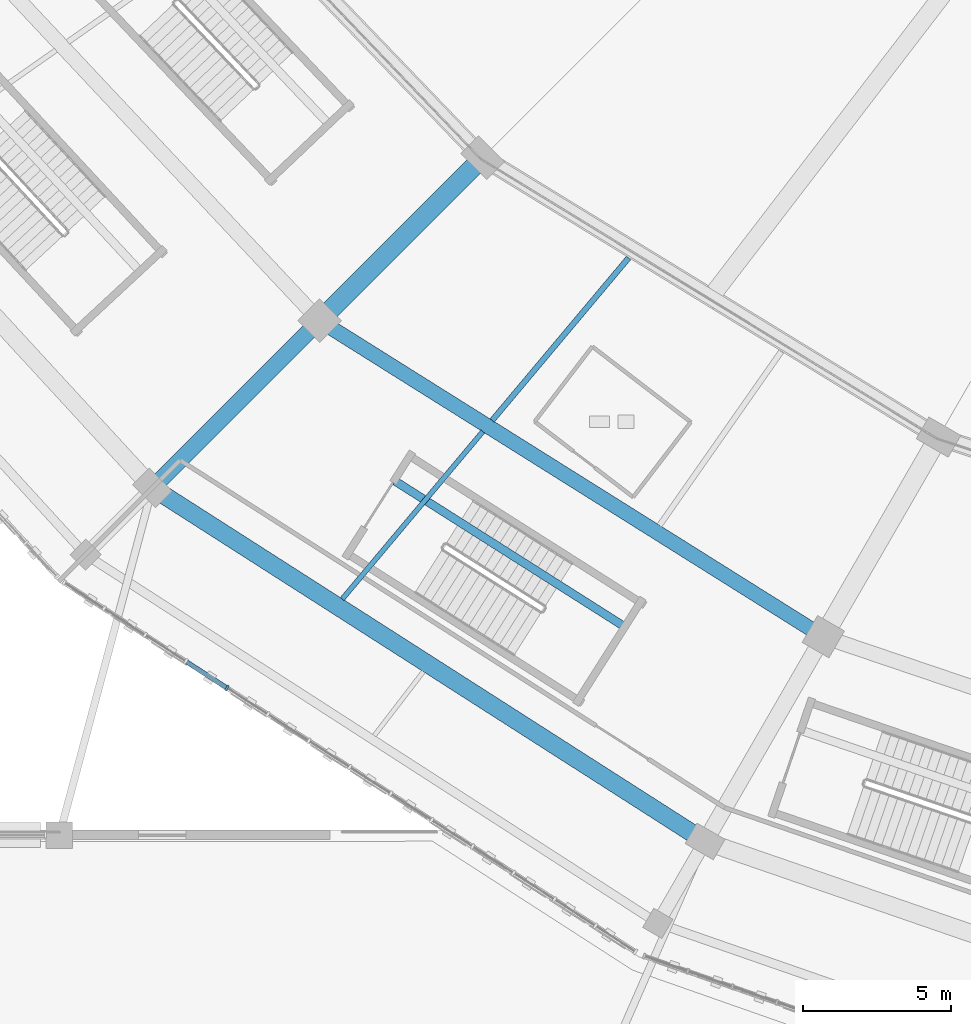
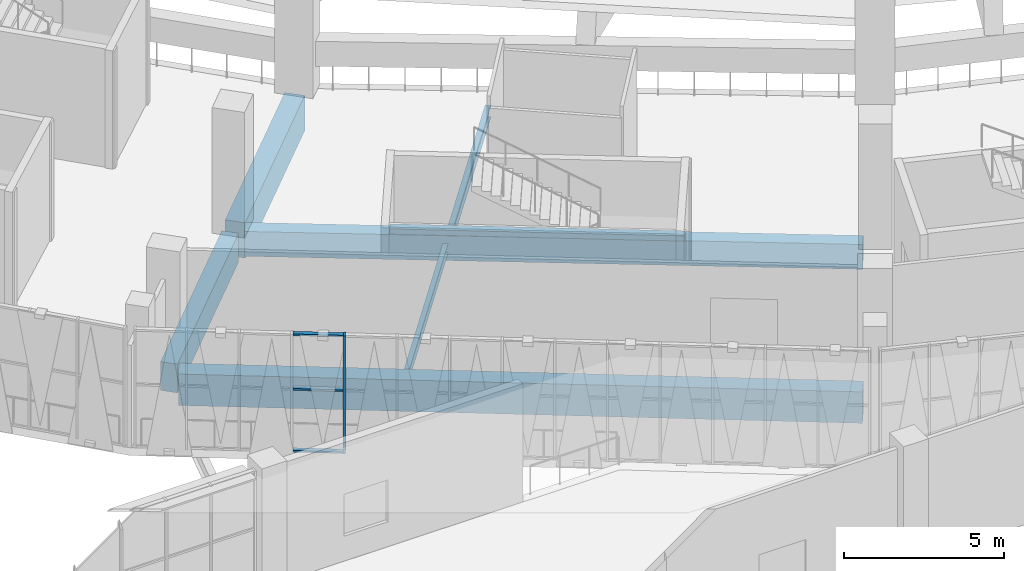
# One storey, part 10 of 183: 7 beams, 4 members, 1 element without a shape of its own.
"""IFC4 building model written with IfcOpenShell, lengths in metres."""

from ifc_helpers import new_model, si_unit, direction, frame, origin, origin_2d, place, context, subcontext, project, spatial, rectangle, i_section, extrude, material, material_profile, profile_set, type_object, element, aggregate, save


model = new_model("IFC4")

# Units and contexts
model_context = context("Model", 3, precision=1e-05, world=origin(), true_north=direction((0.0, 1.0)))
body_context = subcontext(model_context, "Body", "Model", "MODEL_VIEW")
ifc_project = project(units=[si_unit("LENGTHUNIT", "METRE"), si_unit("AREAUNIT", "SQUARE_METRE"), si_unit("VOLUMEUNIT", "CUBIC_METRE"), si_unit("PLANEANGLEUNIT", "RADIAN"), si_unit("MASSUNIT", "GRAM", prefix="KILO")], contexts=[model_context])

# Site, building, storey
site_placement = place(None, origin())
site = spatial("IfcSite", under=ifc_project, at=site_placement, CompositionType="ELEMENT")
building_placement = place(site_placement, origin())
building = spatial("IfcBuilding", under=site, at=building_placement, Name="Zevraka Park Crest Stadium", CompositionType="ELEMENT")
storey_placement = place(building_placement, frame((0.0, 0.0, 5.39990234375)))
storey = spatial("IfcBuildingStorey", under=building, at=storey_placement, Name="L01", CompositionType="ELEMENT", Elevation=5.39990234375)

# Beams
ifc_material_1 = material(Name="Concrete C40/50", Category="concrete")
ifc_material_profile_1 = material_profile(ifc_material_1, rectangle(XDim=0.64990234375, YDim=1.35009765625, at=origin_2d()), Name="RC 1350x650")
ifc_profile_set_1 = profile_set([ifc_material_profile_1], Name="Concrete C40/50")
beam_type_1 = type_object("IfcBeamType", Name="BG01", PredefinedType="BEAM", material=ifc_profile_set_1)
beam_1_placement = place(storey_placement, frame((59.10888671875, 49.715087890625, -0.684814453125), z_axis=(-0.707157639372, -0.707055919343, 0.0), x_axis=(0.707055919343, -0.707157639372, 0.0)))
element("IfcBeam", 1, at=beam_1_placement, inside=storey, type_object=beam_type_1, Name="Radial Girder BG01 L01-BC-15", PredefinedType="BEAM", context=body_context, shape_type="SweptSolid", body=[
    extrude(rectangle(XDim=0.64990234375, YDim=1.35009765625, at=origin_2d()), origin(), (0.0, 0.0, 1.0), 7.200439453125),
])
ifc_material_2 = material(Name="Concrete C40/50", Category="concrete")
ifc_material_profile_2 = material_profile(ifc_material_2, rectangle(XDim=0.550048828125, YDim=1.10009765625, at=origin_2d()), Name="RC 1100x550")
ifc_profile_set_2 = profile_set([ifc_material_profile_2], Name="Concrete C40/50")
beam_type_2 = type_object("IfcBeamType", Name="BG02", PredefinedType="BEAM", material=ifc_profile_set_2)
beam_2_placement = place(storey_placement, frame((53.593017578125, 44.199951171875, -0.559814453125), z_axis=(-0.707106781187, -0.707106781187, 0.0), x_axis=(0.707106781187, -0.707106781187, 0.0)))
element("IfcBeam", 2, at=beam_2_placement, inside=storey, type_object=beam_type_2, Name="Radial Girder BG02 L01-CD-15", PredefinedType="BEAM", context=body_context, shape_type="SweptSolid", body=[
    extrude(rectangle(XDim=0.550048828125, YDim=1.10009765625, at=origin_2d()), origin(), (0.0, 0.0, 1.0), 7.400390625),
])

# Curtain wall, members
ifc_material_3 = material(Name="Anodised architectural aluminium and laminated safety glass", Category="aluminium")
curtain_wall_type = type_object("IfcCurtainWallType", Name="CW03", PredefinedType="NOTDEFINED", material=ifc_material_3)
curtain_wall_placement = place(storey_placement, origin())
curtain_wall = element("IfcCurtainWall", 3, at=curtain_wall_placement, inside=storey, type_object=curtain_wall_type, Name="Unitised Ring Curtain Wall CW03 L01-15", PredefinedType="NOTDEFINED")
ifc_material_4 = material(Name="Anodised architectural aluminium", Category="aluminium")
ifc_material_profile_3 = material_profile(ifc_material_4, rectangle(XDim=0.199951171875, YDim=0.070068359375, at=origin_2d()), Name="ALU MULLION 200x70")
ifc_profile_set_3 = profile_set([ifc_material_profile_3], Name="Anodised architectural aluminium")
member_type_1 = type_object("IfcMemberType", Name="CM03", PredefinedType="MULLION", material=ifc_profile_set_3)
member_1_placement = place(storey_placement, frame((50.669677734375, 31.98388671875, 0.0), z_axis=(0.0, 0.0, 1.0), x_axis=(0.542570628938, 0.840010186018, 0.0)))
member_1 = element("IfcMember", 4, at=member_1_placement, type_object=member_type_1, Name="CW03 mullion 5", PredefinedType="MULLION", context=body_context, shape_type="SweptSolid", body=[
    extrude(rectangle(XDim=0.199951171875, YDim=0.070068359375, at=origin_2d()), origin(), (0.0, 0.0, 1.0), 4.52001953125),
])
ifc_material_5 = material(Name="Anodised architectural aluminium", Category="aluminium")
ifc_material_profile_4 = material_profile(ifc_material_5, rectangle(XDim=0.14990234375, YDim=0.070068359375, at=origin_2d()), Name="ALU TRANSOM 150x70")
ifc_profile_set_4 = profile_set([ifc_material_profile_4], Name="Anodised architectural aluminium")
member_type_2 = type_object("IfcMemberType", Name="CT03", PredefinedType="USERDEFINED", material=ifc_profile_set_4)
member_2_placement = place(storey_placement, frame((49.313232421875, 32.860107421875, 0.03515625), z_axis=(0.839976274256, -0.542623127675, 0.0), x_axis=(0.542623127675, 0.839976274256, 0.0)))
member_2 = element("IfcMember", 5, at=member_2_placement, type_object=member_type_2, Name="CW03 transom 4.1", ObjectType="TRANSOM", PredefinedType="USERDEFINED", context=body_context, shape_type="SweptSolid", body=[
    extrude(rectangle(XDim=0.14990234375, YDim=0.070068359375, at=origin_2d()), origin(), (0.0, 0.0, 1.0), 1.57958984375),
])
member_3_placement = place(storey_placement, frame((49.313232421875, 32.860107421875, 2.400146484375), z_axis=(0.839976274256, -0.542623127675, 0.0), x_axis=(0.542623127675, 0.839976274256, 0.0)))
member_3 = element("IfcMember", 6, at=member_3_placement, type_object=member_type_2, Name="CW03 transom 4.2", ObjectType="TRANSOM", PredefinedType="USERDEFINED", context=body_context, shape_type="SweptSolid", body=[
    extrude(rectangle(XDim=0.14990234375, YDim=0.070068359375, at=origin_2d()), origin(), (0.0, 0.0, 1.0), 1.57958984375),
])
member_4_placement = place(storey_placement, frame((49.313232421875, 32.860107421875, 4.485107421875), z_axis=(0.839976274256, -0.542623127675, 0.0), x_axis=(0.542623127675, 0.839976274256, 0.0)))
member_4 = element("IfcMember", 7, at=member_4_placement, type_object=member_type_2, Name="CW03 transom 4.3", ObjectType="TRANSOM", PredefinedType="USERDEFINED", context=body_context, shape_type="SweptSolid", body=[
    extrude(rectangle(XDim=0.14990234375, YDim=0.070068359375, at=origin_2d()), origin(), (0.0, 0.0, 1.0), 1.57958984375),
])
aggregate(curtain_wall, [member_1, member_2, member_3, member_4])

# Beams
ifc_material_6 = material(Name="Concrete C40/50", Category="concrete")
ifc_material_profile_5 = material_profile(ifc_material_6, rectangle(XDim=0.60009765625, YDim=1.199951171875, at=origin_2d()), Name="RC 1200x600")
ifc_profile_set_5 = profile_set([ifc_material_profile_5], Name="Concrete C40/50")
beam_type_3 = type_object("IfcBeamType", Name="RB01", PredefinedType="BEAM", material=ifc_profile_set_5)
beam_3_placement = place(storey_placement, frame((48.468017578125, 38.550048828125, -0.60986328125), z_axis=(0.842325571453, -0.538969045193, 0.0), x_axis=(0.538969045193, 0.842325571453, 0.0)))
element("IfcBeam", 8, at=beam_3_placement, inside=storey, type_object=beam_type_3, Name="Ring Beam RB01 L01-D-15", PredefinedType="BEAM", context=body_context, shape_type="SweptSolid", body=[
    extrude(rectangle(XDim=0.60009765625, YDim=1.199951171875, at=origin_2d()), origin(), (0.0, 0.0, 1.0), 21.443115234375),
])
ifc_material_7 = material(Name="Concrete C40/50", Category="concrete")
ifc_material_profile_6 = material_profile(ifc_material_7, rectangle(XDim=0.5, YDim=0.949951171875, at=origin_2d()), Name="RC 950x500")
ifc_profile_set_6 = profile_set([ifc_material_profile_6], Name="Concrete C40/50")
beam_type_4 = type_object("IfcBeamType", Name="RB02", PredefinedType="BEAM", material=ifc_profile_set_6)
beam_4_placement = place(storey_placement, frame((54.126953125, 44.2099609375, -0.48486328125), z_axis=(0.847038516183, -0.531531515625, 0.0), x_axis=(0.531531515625, 0.847038516183, 0.0)))
element("IfcBeam", 9, at=beam_4_placement, inside=storey, type_object=beam_type_4, Name="Ring Beam RB02 L01-C-15", PredefinedType="BEAM", context=body_context, shape_type="SweptSolid", body=[
    extrude(rectangle(XDim=0.5, YDim=0.949951171875, at=origin_2d()), origin(), (0.0, 0.0, 1.0), 19.36279296875),
])
ifc_material_8 = material(Name="Steel S355", Category="steel")
ifc_material_profile_7 = material_profile(ifc_material_8, i_section(OverallWidth=0.169921875, OverallDepth=0.360107421875, WebThickness=0.008056640625, FlangeThickness=0.0126953125, at=origin_2d()), Name="IPE 360")
ifc_profile_set_7 = profile_set([ifc_material_profile_7], Name="Steel S355")
beam_type_5 = type_object("IfcBeamType", Name="SJ02", PredefinedType="JOIST", material=ifc_profile_set_7)
beam_5_placement = place(storey_placement, frame((59.3291015625, 40.658935546875, -0.48779296875), z_axis=(-0.642939005042, -0.765917381834, 0.0), x_axis=(0.765917381834, -0.642939005042, 0.0)))
element("IfcBeam", 10, at=beam_5_placement, inside=storey, type_object=beam_type_5, Name="Floor Joist SJ02 L01-CD-15-1", PredefinedType="JOIST", context=body_context, shape_type="SweptSolid", body=[
    extrude(i_section(OverallWidth=0.169921875, OverallDepth=0.360107421875, WebThickness=0.008056640625, FlangeThickness=0.0126953125, at=origin_2d()), origin(), (0.0, 0.0, 1.0), 7.39892578125),
])
ifc_material_9 = material(Name="Steel S355", Category="steel")
ifc_material_profile_8 = material_profile(ifc_material_9, i_section(OverallWidth=0.18994140625, OverallDepth=0.449951171875, WebThickness=0.009521484375, FlangeThickness=0.0146484375, at=origin_2d()), Name="IPE 450")
ifc_profile_set_8 = profile_set([ifc_material_profile_8], Name="Steel S355")
beam_type_6 = type_object("IfcBeamType", Name="SJ03", PredefinedType="JOIST", material=ifc_profile_set_8)
beam_6_placement = place(storey_placement, frame((64.260986328125, 46.533935546875, -0.532958984375), z_axis=(-0.642942486631, -0.765914459247, 0.0), x_axis=(0.765914459247, -0.642942486631, 0.0)))
element("IfcBeam", 11, at=beam_6_placement, inside=storey, type_object=beam_type_6, Name="Floor Joist SJ03 L01-BC-15-1", PredefinedType="JOIST", context=body_context, shape_type="SweptSolid", body=[
    extrude(i_section(OverallWidth=0.18994140625, OverallDepth=0.449951171875, WebThickness=0.009521484375, FlangeThickness=0.0146484375, at=origin_2d()), origin(), (0.0, 0.0, 1.0), 7.180908203125),
])
ifc_material_10 = material(Name="Concrete C40/50", Category="concrete")
ifc_material_profile_9 = material_profile(ifc_material_10, rectangle(XDim=0.280029296875, YDim=0.199951171875, at=origin_2d()), Name="RC 200x280")
ifc_profile_set_9 = profile_set([ifc_material_profile_9], Name="Concrete C40/50")
beam_type_7 = type_object("IfcBeamType", Name="SJ13", PredefinedType="JOIST", material=ifc_profile_set_9)
beam_7_placement = place(storey_placement, frame((56.351806640625, 38.987548828125, 2.300048828125), z_axis=(0.844396466688, -0.53571877608, 0.0), x_axis=(0.53571877608, 0.844396466688, 0.0)))
element("IfcBeam", 12, at=beam_7_placement, inside=storey, type_object=beam_type_7, Name="Stair Upper-Flight Longitudinal Stringer SJ13 ST16-L01", PredefinedType="JOIST", context=body_context, shape_type="SweptSolid", body=[
    extrude(rectangle(XDim=0.280029296875, YDim=0.199951171875, at=origin_2d()), origin(), (0.0, 0.0, 1.0), 9.249755859375),
])

save(model, "model.ifc")
